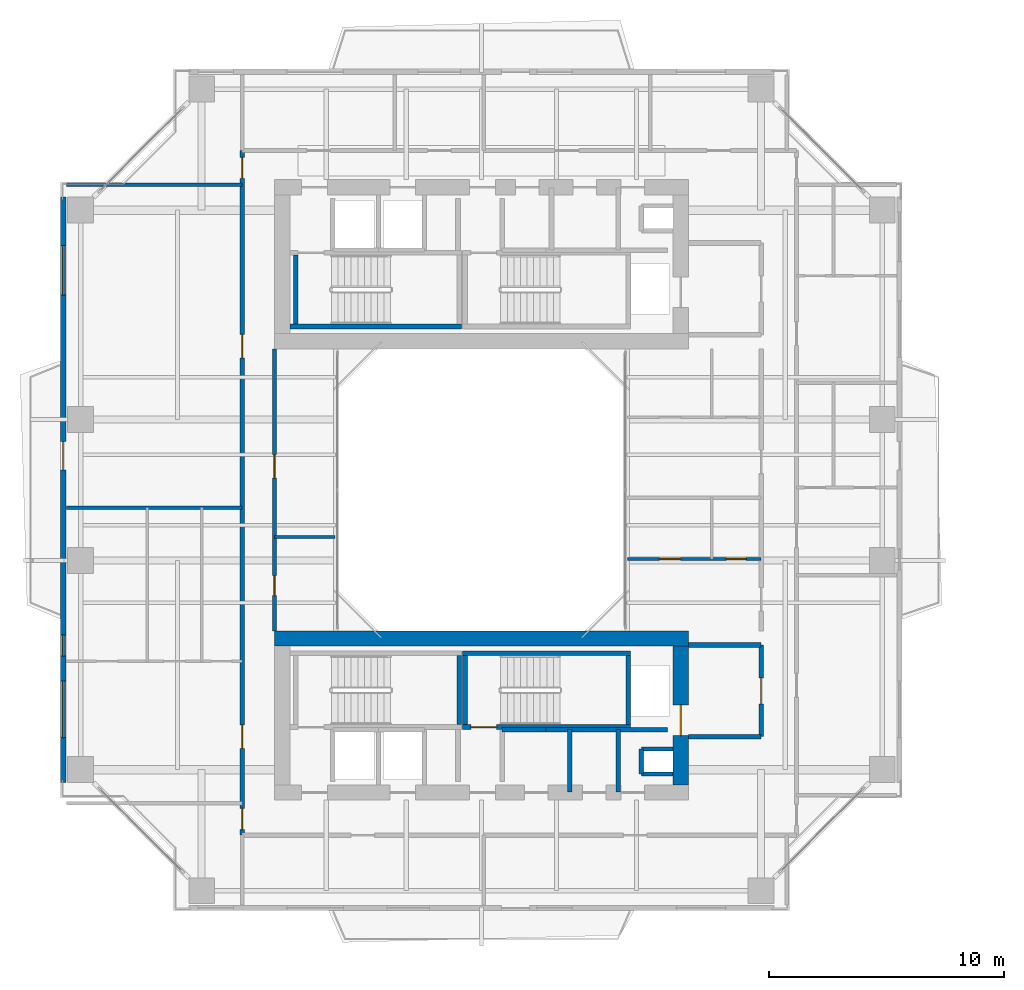
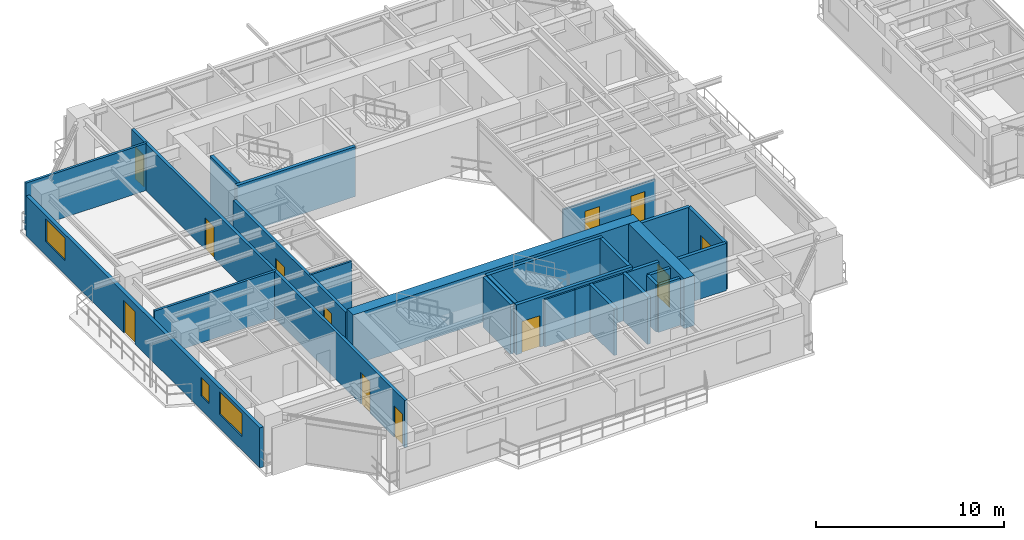
# One storey, part 14 of 23: 26 walls, 12 doors, 3 windows, 15 openings.
"""IFC4 building model written with IfcOpenShell, lengths in metres."""

from ifc_helpers import new_model, si_unit, direction, frame, frame_2d, origin, place, context, subcontext, project, spatial, rectangle, extrude, source, transform, mapped, material, layer, layer_set, type_object, element, fill, save


model = new_model("IFC4")

# Units and contexts
model_context = context("Model", 3, precision=1e-05, world=origin(), true_north=direction((0.0, 1.0)))
body_context = subcontext(model_context, "Body", "Model", "MODEL_VIEW")
ifc_project = project(units=[si_unit("LENGTHUNIT", "METRE"), si_unit("AREAUNIT", "SQUARE_METRE"), si_unit("VOLUMEUNIT", "CUBIC_METRE"), si_unit("PLANEANGLEUNIT", "RADIAN"), si_unit("MASSUNIT", "GRAM", prefix="KILO"), si_unit("THERMODYNAMICTEMPERATUREUNIT", "KELVIN"), si_unit("POWERUNIT", "WATT")], contexts=[model_context])

# Site, building, storey
site_placement = place(None, origin())
site = spatial("IfcSite", under=ifc_project, at=site_placement, CompositionType="ELEMENT")
building_placement = place(site_placement, origin())
building = spatial("IfcBuilding", under=site, at=building_placement, Name="Qiaomeng Ring Towers", CompositionType="ELEMENT")
storey_placement = place(building_placement, frame((0.0, 0.0, 100.25)))
storey = spatial("IfcBuildingStorey", under=building, at=storey_placement, Name="L28", CompositionType="ELEMENT", Elevation=100.25)

# Wall, openings, windows, door
ifc_material_1 = material(Name="Precast concrete C40", Category="concrete")
ifc_layer_1 = layer(ifc_material_1, 0.219970703125, Name="Precast concrete C40")
ifc_layer_set_1 = layer_set([ifc_layer_1], Name="Precast concrete C40")
wall_type_1 = type_object("IfcWallType", Name="ARC-WL-EW2", PredefinedType="STANDARD", material=ifc_layer_set_1)
wall_1_placement = place(storey_placement, frame((1.2099609375, 10.550048828125, 0.0), z_axis=(0.0, 0.0, 1.0), x_axis=(0.0, 1.0, 0.0)))
wall_1 = element("IfcWall", 1, at=wall_1_placement, inside=storey, type_object=wall_type_1, Name="L28 Tower 1 W Exterior Wall", PredefinedType="STANDARD", context=body_context, shape_type="SweptSolid", body=[
    extrude(rectangle(XDim=24.89990234375, YDim=0.219970703125, at=frame_2d((12.449951171875, 0.0))), origin(), (0.0, 0.0, 1.0), 2.610107421875),
])
opening_1_placement = place(wall_1_placement, frame((13.300048828125, 0.0, 0.0)))
opening_1 = element("IfcOpeningElement", 2, at=opening_1_placement, cuts=wall_1, Name="Opening BD1", PredefinedType="OPENING", context=body_context, shape_type="SweptSolid", body=[
    extrude(rectangle(XDim=1.199951171875, YDim=2.10009765625, at=frame_2d((0.60009765625, 1.050048828125))), frame((0.0, 0.119873046875, 0.0), z_axis=(0.0, -1.0, 0.0), x_axis=(1.0, 0.0, 0.0)), (0.0, 0.0, 1.0), 0.239990234375),
])
opening_2_placement = place(wall_1_placement, frame((1.912109375, 0.0, 0.89990234375)))
opening_2 = element("IfcOpeningElement", 3, at=opening_2_placement, cuts=wall_1, Name="Opening WN6", PredefinedType="OPENING", context=body_context, shape_type="SweptSolid", body=[
    extrude(rectangle(XDim=2.39990234375, YDim=1.47998046875, at=frame_2d((1.199951171875, 0.739990234375))), frame((0.0, 0.119873046875, 0.0), z_axis=(0.0, -1.0, 0.0), x_axis=(1.0, 0.0, 0.0)), (0.0, 0.0, 1.0), 0.239990234375),
])
opening_3_placement = place(wall_1_placement, frame((20.737060546875, 0.0, 0.89990234375)))
opening_3 = element("IfcOpeningElement", 4, at=opening_3_placement, cuts=wall_1, Name="Opening WN4", PredefinedType="OPENING", context=body_context, shape_type="SweptSolid", body=[
    extrude(rectangle(XDim=2.10009765625, YDim=1.47998046875, at=frame_2d((1.050048828125, 0.739990234375))), frame((0.0, 0.119873046875, 0.0), z_axis=(0.0, -1.0, 0.0), x_axis=(1.0, 0.0, 0.0)), (0.0, 0.0, 1.0), 0.239990234375),
])
opening_4_placement = place(wall_1_placement, frame((5.3798828125, 0.0, 0.89990234375)))
opening_4 = element("IfcOpeningElement", 5, at=opening_4_placement, cuts=wall_1, Name="Opening WN5", PredefinedType="OPENING", context=body_context, shape_type="SweptSolid", body=[
    extrude(rectangle(XDim=0.89990234375, YDim=1.199951171875, at=frame_2d((0.449951171875, 0.60009765625))), frame((0.0, 0.119873046875, 0.0), z_axis=(0.0, -1.0, 0.0), x_axis=(1.0, 0.0, 0.0)), (0.0, 0.0, 1.0), 0.239990234375),
])
ifc_material_2 = material(Name="Low-E dark-grey laminated double glazing", Category="glass")
window_type_1 = type_object("IfcWindowType", Name="ARC-WN-4", PartitioningType="TRIPLE_PANEL_VERTICAL", PredefinedType="WINDOW", material=ifc_material_2)
shared_shape_1 = source(origin(), body_context, "Body", "SweptSolid", [
    extrude(rectangle(XDim=2.10009765625, YDim=1.47998046875, at=frame_2d((1.050048828125, 0.739990234375))), frame((0.0, 0.030029296875, 0.0), z_axis=(0.0, -1.0, 0.0), x_axis=(1.0, 0.0, 0.0)), (0.0, 0.0, 1.0), 0.06005859375),
])
window_1_placement = place(opening_3_placement, origin())
window_1 = element("IfcWindow", 6, at=window_1_placement, inside=storey, type_object=window_type_1, Name="L28 Exterior Window WN4", OverallHeight=1.47998046875, OverallWidth=2.10009765625, PartitioningType="TRIPLE_PANEL_VERTICAL", PredefinedType="WINDOW", context=body_context, shape_type="MappedRepresentation", body=[
    mapped(shared_shape_1, transform((0.0, 0.0, 0.0), x_axis=(1.0, 0.0, 0.0), y_axis=(0.0, 1.0, 0.0), z_axis=(0.0, 0.0, 1.0), scale=1.0)),
])
fill(opening_3, window_1)
window_type_2 = type_object("IfcWindowType", Name="ARC-WN-6", PartitioningType="TRIPLE_PANEL_VERTICAL", PredefinedType="WINDOW", material=ifc_material_2)
shared_shape_2 = source(origin(), body_context, "Body", "SweptSolid", [
    extrude(rectangle(XDim=2.39990234375, YDim=1.47998046875, at=frame_2d((1.199951171875, 0.739990234375))), frame((0.0, 0.030029296875, 0.0), z_axis=(0.0, -1.0, 0.0), x_axis=(1.0, 0.0, 0.0)), (0.0, 0.0, 1.0), 0.06005859375),
])
window_2_placement = place(opening_2_placement, origin())
window_2 = element("IfcWindow", 7, at=window_2_placement, inside=storey, type_object=window_type_2, Name="L28 Exterior Window WN6", OverallHeight=1.47998046875, OverallWidth=2.39990234375, PartitioningType="TRIPLE_PANEL_VERTICAL", PredefinedType="WINDOW", context=body_context, shape_type="MappedRepresentation", body=[
    mapped(shared_shape_2, transform((0.0, 0.0, 0.0), x_axis=(1.0, 0.0, 0.0), y_axis=(0.0, 1.0, 0.0), z_axis=(0.0, 0.0, 1.0), scale=1.0)),
])
fill(opening_2, window_2)
door_type_1 = type_object("IfcDoorType", Name="ARC-DR-BD1", OperationType="NOTDEFINED", PredefinedType="DOOR", material=ifc_material_2)
shared_shape_3 = source(origin(), body_context, "Body", "SweptSolid", [
    extrude(rectangle(XDim=1.199951171875, YDim=2.10009765625, at=frame_2d((0.60009765625, 1.050048828125))), frame((0.0, 0.02490234375, 0.0), z_axis=(0.0, -1.0, 0.0), x_axis=(1.0, 0.0, 0.0)), (0.0, 0.0, 1.0), 0.050048828125),
])
door_1_placement = place(opening_1_placement, frame((1.199951171875, 0.0, 0.0), z_axis=(0.0, 0.0, 1.0), x_axis=(-1.0, 0.0, 0.0)))
door_1 = element("IfcDoor", 8, at=door_1_placement, inside=storey, type_object=door_type_1, Name="L28 W Balcony Glazed Door", OperationType="SINGLE_SWING_LEFT", OverallHeight=2.10009765625, OverallWidth=1.199951171875, PredefinedType="DOOR", context=body_context, shape_type="MappedRepresentation", body=[
    mapped(shared_shape_3, transform((0.0, 0.0, 0.0), x_axis=(1.0, 0.0, 0.0), y_axis=(0.0, 1.0, 0.0), z_axis=(0.0, 0.0, 1.0), scale=1.0)),
])
fill(opening_1, door_1)
window_type_3 = type_object("IfcWindowType", Name="ARC-WN-5", PartitioningType="SINGLE_PANEL", PredefinedType="WINDOW", material=ifc_material_2)
shared_shape_4 = source(origin(), body_context, "Body", "SweptSolid", [
    extrude(rectangle(XDim=0.89990234375, YDim=1.199951171875, at=frame_2d((0.449951171875, 0.60009765625))), frame((0.0, 0.030029296875, 0.0), z_axis=(0.0, -1.0, 0.0), x_axis=(1.0, 0.0, 0.0)), (0.0, 0.0, 1.0), 0.06005859375),
])
window_3_placement = place(opening_4_placement, origin())
window_3 = element("IfcWindow", 9, at=window_3_placement, inside=storey, type_object=window_type_3, Name="L28 Exterior Window WN5", OverallHeight=1.199951171875, OverallWidth=0.89990234375, PartitioningType="SINGLE_PANEL", PredefinedType="WINDOW", context=body_context, shape_type="MappedRepresentation", body=[
    mapped(shared_shape_4, transform((0.0, 0.0, 0.0), x_axis=(1.0, 0.0, 0.0), y_axis=(0.0, 1.0, 0.0), z_axis=(0.0, 0.0, 1.0), scale=1.0)),
])
fill(opening_4, window_3)

# Walls
ifc_material_3 = material(Name="Autoclaved aerated concrete block", Category="concrete")
ifc_layer_2 = layer(ifc_material_3, 0.199951171875, Name="Autoclaved aerated concrete block")
ifc_layer_set_2 = layer_set([ifc_layer_2], Name="Autoclaved aerated concrete block")
wall_type_2 = type_object("IfcWallType", Name="ARC-WL-PW1", PredefinedType="PARTITIONING", material=ifc_layer_set_2)
for number, where, z_axis, x_axis, name in (
    (10, (27.800048828125, 16.39990234375, 0.0), (0.0, 0.0, 1.0), (1.0, 0.0, 0.0), "L28 Interior Wall PW1"),
    (11, (27.800048828125, 12.5, 0.0), (0.0, 0.0, 1.0), (1.0, 0.0, 0.0), "L28 Interior Wall PW1"),
):
    element("IfcWall", number, at=place(storey_placement, frame(where, z_axis=z_axis, x_axis=x_axis)), inside=storey, type_object=wall_type_2, Name=name, PredefinedType="PARTITIONING", context=body_context, shape_type="SweptSolid", body=[
        extrude(rectangle(XDim=3.099853515625, YDim=0.199951171875, at=frame_2d((1.5498046875, 0.0))), origin(), (0.0, 0.0, 1.0), 3.070068359375),
    ])

# Wall, opening, door
wall_2_placement = place(storey_placement, frame((30.89990234375, 12.5, 0.0), z_axis=(0.0, 0.0, 1.0), x_axis=(0.0, 1.0, 0.0)))
wall_2 = element("IfcWall", 12, at=wall_2_placement, inside=storey, type_object=wall_type_2, Name="L28 Interior Wall PW1", PredefinedType="PARTITIONING", context=body_context, shape_type="SweptSolid", body=[
    extrude(rectangle(XDim=3.89990234375, YDim=0.199951171875, at=frame_2d((1.949951171875, 0.0))), origin(), (0.0, 0.0, 1.0), 3.070068359375),
])
opening_5_placement = place(wall_2_placement, frame((1.39990234375, 0.0, 0.0)))
opening_5 = element("IfcOpeningElement", 13, at=opening_5_placement, cuts=wall_2, Name="Opening FD3", PredefinedType="OPENING", context=body_context, shape_type="SweptSolid", body=[
    extrude(rectangle(XDim=1.10009765625, YDim=2.050048828125, at=frame_2d((0.550048828125, 1.02490234375))), frame((0.0, 0.10986328125, 0.0), z_axis=(0.0, -1.0, 0.0), x_axis=(1.0, 0.0, 0.0)), (0.0, 0.0, 1.0), 0.219970703125),
])
ifc_material_4 = material(Name="Galvanised steel", Category="steel")
door_type_2 = type_object("IfcDoorType", Name="ARC-DR-FD3", OperationType="NOTDEFINED", PredefinedType="DOOR", material=ifc_material_4)
shared_shape_5 = source(origin(), body_context, "Body", "SweptSolid", [
    extrude(rectangle(XDim=1.10009765625, YDim=2.050048828125, at=frame_2d((0.550048828125, 1.02490234375))), frame((0.0, 0.02490234375, 0.0), z_axis=(0.0, -1.0, 0.0), x_axis=(1.0, 0.0, 0.0)), (0.0, 0.0, 1.0), 0.050048828125),
])
door_2_placement = place(opening_5_placement, origin())
door_2 = element("IfcDoor", 14, at=door_2_placement, inside=storey, type_object=door_type_2, Name="L28 South FF Lobby Door", OperationType="SINGLE_SWING_RIGHT", OverallHeight=2.050048828125, OverallWidth=1.10009765625, PredefinedType="DOOR", context=body_context, shape_type="MappedRepresentation", body=[
    mapped(shared_shape_5, transform((0.0, 0.0, 0.0), x_axis=(1.0, 0.0, 0.0), y_axis=(0.0, 1.0, 0.0), z_axis=(0.0, 0.0, 1.0), scale=1.0)),
])
fill(opening_5, door_2)

# Walls
wall_3_placement = place(storey_placement, frame((24.820068359375, 10.14990234375, 0.0), z_axis=(0.0, 0.0, 1.0), x_axis=(0.0, 1.0, 0.0)))
element("IfcWall", 15, at=wall_3_placement, inside=storey, type_object=wall_type_2, Name="L28 Interior Wall PW1", PredefinedType="PARTITIONING", context=body_context, shape_type="SweptSolid", body=[
    extrude(rectangle(XDim=2.650146484375, YDim=0.199951171875, at=frame_2d((1.3251953125, 0.0))), origin(), (0.0, 0.0, 1.0), 3.070068359375),
])
wall_4_placement = place(storey_placement, frame((19.8798828125, 12.800048828125, 0.0), z_axis=(0.0, 0.0, 1.0), x_axis=(1.0, 0.0, 0.0)))
element("IfcWall", 16, at=wall_4_placement, inside=storey, type_object=wall_type_2, Name="L28 Interior Wall PW1", PredefinedType="PARTITIONING", context=body_context, shape_type="SweptSolid", body=[
    extrude(rectangle(XDim=1.8701171875, YDim=0.199951171875, at=frame_2d((0.93505859375, 0.0))), origin(), (0.0, 0.0, 1.0), 3.070068359375),
])
wall_5_placement = place(storey_placement, frame((22.760009765625, 10.14990234375, 0.0), z_axis=(0.0, 0.0, 1.0), x_axis=(0.0, 1.0, 0.0)))
element("IfcWall", 17, at=wall_5_placement, inside=storey, type_object=wall_type_2, Name="L28 Interior Wall PW1", PredefinedType="PARTITIONING", context=body_context, shape_type="SweptSolid", body=[
    extrude(rectangle(XDim=2.650146484375, YDim=0.199951171875, at=frame_2d((1.3251953125, 0.0))), origin(), (0.0, 0.0, 1.0), 3.070068359375),
])
wall_6_placement = place(storey_placement, frame((21.75, 12.800048828125, 0.0), z_axis=(0.0, 0.0, 1.0), x_axis=(1.0, 0.0, 0.0)))
element("IfcWall", 18, at=wall_6_placement, inside=storey, type_object=wall_type_2, Name="L28 Interior Wall PW1", PredefinedType="PARTITIONING", context=body_context, shape_type="SweptSolid", body=[
    extrude(rectangle(XDim=5.169921875, YDim=0.199951171875, at=frame_2d((2.5849609375, 0.0))), origin(), (0.0, 0.0, 1.0), 3.070068359375),
])

# Wall, openings, doors
ifc_layer_3 = layer(ifc_material_3, 0.179931640625, Name="Autoclaved aerated concrete block")
ifc_layer_set_3 = layer_set([ifc_layer_3], Name="Autoclaved aerated concrete block")
wall_type_3 = type_object("IfcWallType", Name="ARC-WL-PW2", PredefinedType="PARTITIONING", material=ifc_layer_set_3)
wall_7_placement = place(storey_placement, frame((8.820068359375, 8.31005859375, 0.0), z_axis=(0.0, 0.0, 1.0), x_axis=(0.0, 1.0, 0.0)))
wall_7 = element("IfcWall", 19, at=wall_7_placement, inside=storey, type_object=wall_type_3, Name="L28 Interior Wall PW2", PredefinedType="PARTITIONING", context=body_context, shape_type="SweptSolid", body=[
    extrude(rectangle(XDim=29.1298828125, YDim=0.179931640625, at=frame_2d((14.56494140625, 0.0))), origin(), (0.0, 0.0, 1.0), 3.070068359375),
])
opening_6_placement = place(wall_7_placement, frame((27.93994140625, 0.0, 0.0)))
opening_6 = element("IfcOpeningElement", 20, at=opening_6_placement, cuts=wall_7, Name="Opening ID1", PredefinedType="OPENING", context=body_context, shape_type="SweptSolid", body=[
    extrude(rectangle(XDim=0.89990234375, YDim=2.050048828125, at=frame_2d((0.449951171875, 1.02490234375))), frame((0.0, 0.099853515625, 0.0), z_axis=(0.0, -1.0, 0.0), x_axis=(1.0, 0.0, 0.0)), (0.0, 0.0, 1.0), 0.199951171875),
])
opening_7_placement = place(wall_7_placement, frame((0.239990234375, 0.0, 0.0)))
opening_7 = element("IfcOpeningElement", 21, at=opening_7_placement, cuts=wall_7, Name="Opening ID1", PredefinedType="OPENING", context=body_context, shape_type="SweptSolid", body=[
    extrude(rectangle(XDim=0.89990234375, YDim=2.050048828125, at=frame_2d((0.449951171875, 1.02490234375))), frame((0.0, 0.099853515625, 0.0), z_axis=(0.0, -1.0, 0.0), x_axis=(1.0, 0.0, 0.0)), (0.0, 0.0, 1.0), 0.199951171875),
])
opening_8_placement = place(wall_7_placement, frame((3.68994140625, 0.0, 0.0)))
opening_8 = element("IfcOpeningElement", 22, at=opening_8_placement, cuts=wall_7, Name="Opening FD4", PredefinedType="OPENING", context=body_context, shape_type="SweptSolid", body=[
    extrude(rectangle(XDim=1.0, YDim=2.050048828125, at=frame_2d((0.5, 1.02490234375))), frame((0.0, 0.099853515625, 0.0), z_axis=(0.0, -1.0, 0.0), x_axis=(1.0, 0.0, 0.0)), (0.0, 0.0, 1.0), 0.199951171875),
])
opening_9_placement = place(wall_7_placement, frame((20.304931640625, 0.0, 0.0)))
opening_9 = element("IfcOpeningElement", 23, at=opening_9_placement, cuts=wall_7, Name="Opening FD4", PredefinedType="OPENING", context=body_context, shape_type="SweptSolid", body=[
    extrude(rectangle(XDim=1.0, YDim=2.050048828125, at=frame_2d((0.5, 1.02490234375))), frame((0.0, 0.099853515625, 0.0), z_axis=(0.0, -1.0, 0.0), x_axis=(1.0, 0.0, 0.0)), (0.0, 0.0, 1.0), 0.199951171875),
])
ifc_material_5 = material(Name="Engineered fire-rated oak timber", Category="wood")
door_type_3 = type_object("IfcDoorType", Name="ARC-DR-FD4", OperationType="NOTDEFINED", PredefinedType="DOOR", material=ifc_material_5)
shared_shape_6 = source(origin(), body_context, "Body", "SweptSolid", [
    extrude(rectangle(XDim=1.0, YDim=2.050048828125, at=frame_2d((0.5, 1.02490234375))), frame((0.0, 0.02490234375, 0.0), z_axis=(0.0, -1.0, 0.0), x_axis=(1.0, 0.0, 0.0)), (0.0, 0.0, 1.0), 0.050048828125),
])
door_3_placement = place(opening_8_placement, origin())
door_3 = element("IfcDoor", 24, at=door_3_placement, inside=storey, type_object=door_type_3, Name="L28 Door FD4", OperationType="SINGLE_SWING_RIGHT", OverallHeight=2.050048828125, OverallWidth=1.0, PredefinedType="DOOR", context=body_context, shape_type="MappedRepresentation", body=[
    mapped(shared_shape_6, transform((0.0, 0.0, 0.0), x_axis=(1.0, 0.0, 0.0), y_axis=(0.0, 1.0, 0.0), z_axis=(0.0, 0.0, 1.0), scale=1.0)),
])
fill(opening_8, door_3)
door_4_placement = place(opening_9_placement, origin())
door_4 = element("IfcDoor", 25, at=door_4_placement, inside=storey, type_object=door_type_3, Name="L28 Door FD4", OperationType="SINGLE_SWING_LEFT", OverallHeight=2.050048828125, OverallWidth=1.0, PredefinedType="DOOR", context=body_context, shape_type="MappedRepresentation", body=[
    mapped(shared_shape_6, transform((0.0, 0.0, 0.0), x_axis=(1.0, 0.0, 0.0), y_axis=(0.0, 1.0, 0.0), z_axis=(0.0, 0.0, 1.0), scale=1.0)),
])
fill(opening_9, door_4)
ifc_material_6 = material(Name="Engineered oak timber", Category="wood")
door_type_4 = type_object("IfcDoorType", Name="ARC-DR-ID1", OperationType="NOTDEFINED", PredefinedType="DOOR", material=ifc_material_6)
shared_shape_7 = source(origin(), body_context, "Body", "SweptSolid", [
    extrude(rectangle(XDim=0.89990234375, YDim=2.050048828125, at=frame_2d((0.449951171875, 1.02490234375))), frame((0.0, 0.02490234375, 0.0), z_axis=(0.0, -1.0, 0.0), x_axis=(1.0, 0.0, 0.0)), (0.0, 0.0, 1.0), 0.050048828125),
])
door_5_placement = place(opening_6_placement, origin())
door_5 = element("IfcDoor", 26, at=door_5_placement, inside=storey, type_object=door_type_4, Name="L28 Door ID1", OperationType="SINGLE_SWING_LEFT", OverallHeight=2.050048828125, OverallWidth=0.89990234375, PredefinedType="DOOR", context=body_context, shape_type="MappedRepresentation", body=[
    mapped(shared_shape_7, transform((0.0, 0.0, 0.0), x_axis=(1.0, 0.0, 0.0), y_axis=(0.0, 1.0, 0.0), z_axis=(0.0, 0.0, 1.0), scale=1.0)),
])
fill(opening_6, door_5)
door_6_placement = place(opening_7_placement, origin())
door_6 = element("IfcDoor", 27, at=door_6_placement, inside=storey, type_object=door_type_4, Name="L28 Door ID1", OperationType="SINGLE_SWING_RIGHT", OverallHeight=2.050048828125, OverallWidth=0.89990234375, PredefinedType="DOOR", context=body_context, shape_type="MappedRepresentation", body=[
    mapped(shared_shape_7, transform((0.0, 0.0, 0.0), x_axis=(1.0, 0.0, 0.0), y_axis=(0.0, 1.0, 0.0), z_axis=(0.0, 0.0, 1.0), scale=1.0)),
])
fill(opening_7, door_6)

wall_8_placement = place(storey_placement, frame((10.199951171875, 17.0, 0.0), z_axis=(0.0, 0.0, 1.0), x_axis=(0.0, 1.0, 0.0)))
wall_8 = element("IfcWall", 28, at=wall_8_placement, inside=storey, type_object=wall_type_3, Name="L28 Interior Wall PW2", PredefinedType="PARTITIONING", context=body_context, shape_type="SweptSolid", body=[
    extrude(rectangle(XDim=12.0, YDim=0.179931640625, at=frame_2d((6.0, 0.0))), origin(), (0.0, 0.0, 1.0), 3.070068359375),
])
opening_10_placement = place(wall_8_placement, frame((1.5, 0.0, 0.0)))
opening_10 = element("IfcOpeningElement", 29, at=opening_10_placement, cuts=wall_8, Name="Opening ID2", PredefinedType="OPENING", context=body_context, shape_type="SweptSolid", body=[
    extrude(rectangle(XDim=0.85009765625, YDim=2.050048828125, at=frame_2d((0.425048828125, 1.02490234375))), frame((0.0, 0.099853515625, 0.0), z_axis=(0.0, -1.0, 0.0), x_axis=(1.0, 0.0, 0.0)), (0.0, 0.0, 1.0), 0.199951171875),
])
opening_11_placement = place(wall_8_placement, frame((6.5, 0.0, 0.0)))
opening_11 = element("IfcOpeningElement", 30, at=opening_11_placement, cuts=wall_8, Name="Opening FD4", PredefinedType="OPENING", context=body_context, shape_type="SweptSolid", body=[
    extrude(rectangle(XDim=1.0, YDim=2.050048828125, at=frame_2d((0.5, 1.02490234375))), frame((0.0, 0.099853515625, 0.0), z_axis=(0.0, -1.0, 0.0), x_axis=(1.0, 0.0, 0.0)), (0.0, 0.0, 1.0), 0.199951171875),
])
door_7_placement = place(opening_11_placement, origin())
door_7 = element("IfcDoor", 31, at=door_7_placement, inside=storey, type_object=door_type_3, Name="L28 Door FD4", OperationType="SINGLE_SWING_LEFT", OverallHeight=2.050048828125, OverallWidth=1.0, PredefinedType="DOOR", context=body_context, shape_type="MappedRepresentation", body=[
    mapped(shared_shape_6, transform((0.0, 0.0, 0.0), x_axis=(1.0, 0.0, 0.0), y_axis=(0.0, 1.0, 0.0), z_axis=(0.0, 0.0, 1.0), scale=1.0)),
])
fill(opening_11, door_7)
ifc_material_7 = material(Name="Moisture-resistant engineered timber", Category="wood")
door_type_5 = type_object("IfcDoorType", Name="ARC-DR-ID2", OperationType="NOTDEFINED", PredefinedType="DOOR", material=ifc_material_7)
shared_shape_8 = source(origin(), body_context, "Body", "SweptSolid", [
    extrude(rectangle(XDim=0.85009765625, YDim=2.050048828125, at=frame_2d((0.425048828125, 1.02490234375))), frame((0.0, 0.02490234375, 0.0), z_axis=(0.0, -1.0, 0.0), x_axis=(1.0, 0.0, 0.0)), (0.0, 0.0, 1.0), 0.050048828125),
])
door_8_placement = place(opening_10_placement, origin())
door_8 = element("IfcDoor", 32, at=door_8_placement, inside=storey, type_object=door_type_5, Name="L28 Door ID2", OperationType="SINGLE_SWING_RIGHT", OverallHeight=2.050048828125, OverallWidth=0.85009765625, PredefinedType="DOOR", context=body_context, shape_type="MappedRepresentation", body=[
    mapped(shared_shape_8, transform((0.0, 0.0, 0.0), x_axis=(1.0, 0.0, 0.0), y_axis=(0.0, 1.0, 0.0), z_axis=(0.0, 0.0, 1.0), scale=1.0)),
])
fill(opening_10, door_8)

# Walls
ifc_material_8 = material(Name="Gypsum fireboard steel-stud partition", Category="steel")
ifc_layer_4 = layer(ifc_material_8, 0.14990234375, Name="Gypsum fireboard steel-stud partition")
ifc_layer_set_4 = layer_set([ifc_layer_4], Name="Gypsum fireboard steel-stud partition")
wall_type_4 = type_object("IfcWallType", Name="ARC-WL-PW3", PredefinedType="PARTITIONING", material=ifc_layer_set_4)
for number, where, z_axis, x_axis, name in (
    (33, (1.35009765625, 35.97998046875, 0.0), (0.0, 0.0, 1.0), (1.0, 0.0, 0.0), "L28 Interior Wall PW3"),
    (34, (1.35009765625, 22.25, 0.0), (0.0, 0.0, 1.0), (1.0, 0.0, 0.0), "L28 Interior Wall PW3"),
):
    element("IfcWall", number, at=place(storey_placement, frame(where, z_axis=z_axis, x_axis=x_axis)), inside=storey, type_object=wall_type_4, Name=name, PredefinedType="PARTITIONING", context=body_context, shape_type="SweptSolid", body=[
        extrude(rectangle(XDim=7.469970703125, YDim=0.14990234375, at=frame_2d((3.73486328125, 0.0))), origin(), (0.0, 0.0, 1.0), 3.070068359375),
    ])
ifc_material_9 = material(Name="Moisture-resistant gypsum steel-stud partition", Category="steel")
ifc_layer_5 = layer(ifc_material_9, 0.1201171875, Name="Moisture-resistant gypsum steel-stud partition")
ifc_layer_set_5 = layer_set([ifc_layer_5], Name="Moisture-resistant gypsum steel-stud partition")
wall_type_5 = type_object("IfcWallType", Name="ARC-WL-PW4", PredefinedType="PLUMBINGWALL", material=ifc_layer_set_5)
wall_9_placement = place(storey_placement, frame((10.199951171875, 21.0, 0.0), z_axis=(0.0, 0.0, 1.0), x_axis=(1.0, 0.0, 0.0)))
element("IfcWall", 35, at=wall_9_placement, inside=storey, type_object=wall_type_5, Name="L28 Interior Wall PW4", PredefinedType="PLUMBINGWALL", context=body_context, shape_type="SweptSolid", body=[
    extrude(rectangle(XDim=2.580078125, YDim=0.1201171875, at=frame_2d((1.2900390625, 0.0))), origin(), (0.0, 0.0, 1.0), 3.070068359375),
])

# Wall, openings, doors
wall_10_placement = place(storey_placement, frame((25.219970703125, 20.06005859375, 0.0), z_axis=(0.0, 0.0, 1.0), x_axis=(1.0, 0.0, 0.0)))
wall_10 = element("IfcWall", 36, at=wall_10_placement, inside=storey, type_object=wall_type_5, Name="L28 Interior Wall PW4", PredefinedType="PLUMBINGWALL", context=body_context, shape_type="SweptSolid", body=[
    extrude(rectangle(XDim=5.679931640625, YDim=0.1201171875, at=frame_2d((2.83984375, 0.0))), origin(), (0.0, 0.0, 1.0), 2.625),
])
opening_12_placement = place(wall_10_placement, frame((1.35009765625, 0.0, 0.0)))
opening_12 = element("IfcOpeningElement", 37, at=opening_12_placement, cuts=wall_10, Name="Opening ID1", PredefinedType="OPENING", context=body_context, shape_type="SweptSolid", body=[
    extrude(rectangle(XDim=0.89990234375, YDim=2.050048828125, at=frame_2d((0.449951171875, 1.02490234375))), frame((0.0, 0.070068359375, 0.0), z_axis=(0.0, -1.0, 0.0), x_axis=(1.0, 0.0, 0.0)), (0.0, 0.0, 1.0), 0.14013671875),
])
opening_13_placement = place(wall_10_placement, frame((4.195068359375, 0.0, 0.0)))
opening_13 = element("IfcOpeningElement", 38, at=opening_13_placement, cuts=wall_10, Name="Opening ID2", PredefinedType="OPENING", context=body_context, shape_type="SweptSolid", body=[
    extrude(rectangle(XDim=0.85009765625, YDim=2.050048828125, at=frame_2d((0.425048828125, 1.02490234375))), frame((0.0, 0.070068359375, 0.0), z_axis=(0.0, -1.0, 0.0), x_axis=(1.0, 0.0, 0.0)), (0.0, 0.0, 1.0), 0.14013671875),
])
door_9_placement = place(opening_13_placement, origin())
door_9 = element("IfcDoor", 39, at=door_9_placement, inside=storey, type_object=door_type_5, Name="L28 Door ID2", OperationType="SINGLE_SWING_RIGHT", OverallHeight=2.050048828125, OverallWidth=0.85009765625, PredefinedType="DOOR", context=body_context, shape_type="MappedRepresentation", body=[
    mapped(shared_shape_8, transform((0.0, 0.0, 0.0), x_axis=(1.0, 0.0, 0.0), y_axis=(0.0, 1.0, 0.0), z_axis=(0.0, 0.0, 1.0), scale=1.0)),
])
fill(opening_13, door_9)
door_10_placement = place(opening_12_placement, origin())
door_10 = element("IfcDoor", 40, at=door_10_placement, inside=storey, type_object=door_type_4, Name="L28 Door ID1", OperationType="SINGLE_SWING_LEFT", OverallHeight=2.050048828125, OverallWidth=0.89990234375, PredefinedType="DOOR", context=body_context, shape_type="MappedRepresentation", body=[
    mapped(shared_shape_7, transform((0.0, 0.0, 0.0), x_axis=(1.0, 0.0, 0.0), y_axis=(0.0, 1.0, 0.0), z_axis=(0.0, 0.0, 1.0), scale=1.0)),
])
fill(opening_12, door_10)

# Walls
ifc_material_10 = material(Name="Concrete C40", Category="concrete")
ifc_layer_6 = layer(ifc_material_10, 0.199951171875, Name="Concrete C40")
ifc_layer_set_6 = layer_set([ifc_layer_6], Name="Concrete C40")
wall_type_6 = type_object("IfcWallType", Name="STR-WL-STSHAFT", PredefinedType="SHEAR", material=ifc_layer_set_6)
wall_11_placement = place(storey_placement, frame((25.800048828125, 10.919921875, 0.0), z_axis=(0.0, 0.0, 1.0), x_axis=(0.0, 1.0, 0.0)))
element("IfcWall", 41, at=wall_11_placement, inside=storey, type_object=wall_type_6, Name="L28 Riser RSR1 West Shaft Wall S", PredefinedType="SHEAR", context=body_context, shape_type="SweptSolid", body=[
    extrude(rectangle(XDim=1.06005859375, YDim=0.179931640625, at=frame_2d((0.530029296875, 0.0))), origin(), (0.0, 0.0, 1.0), 3.070068359375),
])
for number, where, z_axis, x_axis, name in (
    (42, (25.800048828125, 11.97998046875, 0.0), (0.0, 0.0, 1.0), (1.0, 0.0, 0.0), "L28 Riser RSR1 North Shaft Wall S"),
    (43, (25.800048828125, 10.919921875, 0.0), (0.0, 0.0, 1.0), (1.0, 0.0, 0.0), "L28 Riser RSR1 South Shaft Wall S"),
):
    element("IfcWall", number, at=place(storey_placement, frame(where, z_axis=z_axis, x_axis=x_axis)), inside=storey, type_object=wall_type_6, Name=name, PredefinedType="SHEAR", context=body_context, shape_type="SweptSolid", body=[
        extrude(rectangle(XDim=1.349853515625, YDim=0.179931640625, at=frame_2d((0.6748046875, 0.0))), origin(), (0.0, 0.0, 1.0), 3.070068359375),
    ])
wall_12_placement = place(storey_placement, frame((10.85009765625, 29.949951171875, 0.0), z_axis=(0.0, 0.0, 1.0), x_axis=(1.0, 0.0, 0.0)))
element("IfcWall", 44, at=wall_12_placement, inside=storey, type_object=wall_type_6, Name="L28 Stair ST1 South Shaft Shear Wall", PredefinedType="SHEAR", context=body_context, shape_type="SweptSolid", body=[
    extrude(rectangle(XDim=7.2998046875, YDim=0.199951171875, at=frame_2d((3.64990234375, 0.0))), origin(), (0.0, 0.0, 1.0), 3.25),
])
for number, where, z_axis, x_axis, name in (
    (45, (11.10009765625, 30.050048828125, 0.0), (0.0, 0.0, 1.0), (0.0, 1.0, 0.0), "L28 Stair ST1 West Shaft Shear Wall"),
    (46, (18.050048828125, 13.010009765625, 0.0), (0.0, 0.0, 1.0), (0.0, 1.0, 0.0), "L28 Stair ST3 East Shaft Shear Wall"),
):
    element("IfcWall", number, at=place(storey_placement, frame(where, z_axis=z_axis, x_axis=x_axis)), inside=storey, type_object=wall_type_6, Name=name, PredefinedType="SHEAR", context=body_context, shape_type="SweptSolid", body=[
        extrude(rectangle(XDim=2.93994140625, YDim=0.199951171875, at=frame_2d((1.469970703125, 0.0))), origin(), (0.0, 0.0, 1.0), 3.25),
    ])

# Wall, opening, door
wall_13_placement = place(storey_placement, frame((18.199951171875, 12.909912109375, 0.0), z_axis=(0.0, 0.0, 1.0), x_axis=(1.0, 0.0, 0.0)))
wall_13 = element("IfcWall", 47, at=wall_13_placement, inside=storey, type_object=wall_type_6, Name="L28 Stair ST4 South Shaft Shear Wall", PredefinedType="SHEAR", context=body_context, shape_type="SweptSolid", body=[
    extrude(rectangle(XDim=7.150146484375, YDim=0.199951171875, at=frame_2d((3.5751953125, 0.0))), origin(), (0.0, 0.0, 1.0), 3.25),
])
opening_14_placement = place(wall_13_placement, frame((0.35009765625, 0.0, 0.0)))
opening_14 = element("IfcOpeningElement", 48, at=opening_14_placement, cuts=wall_13, Name="Opening FD3", PredefinedType="OPENING", context=body_context, shape_type="SweptSolid", body=[
    extrude(rectangle(XDim=1.10009765625, YDim=2.050048828125, at=frame_2d((0.550048828125, 1.02490234375))), frame((0.0, 0.10986328125, 0.0), z_axis=(0.0, -1.0, 0.0), x_axis=(1.0, 0.0, 0.0)), (0.0, 0.0, 1.0), 0.219970703125),
])
door_11_placement = place(opening_14_placement, frame((1.10009765625, 0.0, 0.0), z_axis=(0.0, 0.0, 1.0), x_axis=(-1.0, 0.0, 0.0)))
door_11 = element("IfcDoor", 49, at=door_11_placement, inside=storey, type_object=door_type_2, Name="L28 Stair ST4 Exit Door", OperationType="SINGLE_SWING_RIGHT", OverallHeight=2.050048828125, OverallWidth=1.10009765625, PredefinedType="DOOR", context=body_context, shape_type="MappedRepresentation", body=[
    mapped(shared_shape_5, transform((0.0, 0.0, 0.0), x_axis=(1.0, 0.0, 0.0), y_axis=(0.0, 1.0, 0.0), z_axis=(0.0, 0.0, 1.0), scale=1.0)),
])
fill(opening_14, door_11)

# Walls
wall_14_placement = place(storey_placement, frame((18.199951171875, 16.050048828125, 0.0), z_axis=(0.0, 0.0, 1.0), x_axis=(1.0, 0.0, 0.0)))
element("IfcWall", 50, at=wall_14_placement, inside=storey, type_object=wall_type_6, Name="L28 Stair ST4 North Shaft Shear Wall", PredefinedType="SHEAR", context=body_context, shape_type="SweptSolid", body=[
    extrude(rectangle(XDim=7.150146484375, YDim=0.199951171875, at=frame_2d((3.5751953125, 0.0))), origin(), (0.0, 0.0, 1.0), 3.25),
])
for number, where, z_axis, x_axis, name in (
    (51, (18.300048828125, 13.010009765625, 0.0), (0.0, 0.0, 1.0), (0.0, 1.0, 0.0), "L28 Stair ST4 West Shaft Shear Wall"),
    (52, (25.25, 13.010009765625, 0.0), (0.0, 0.0, 1.0), (0.0, 1.0, 0.0), "L28 Stair ST4 East Shaft Shear Wall"),
):
    element("IfcWall", number, at=place(storey_placement, frame(where, z_axis=z_axis, x_axis=x_axis)), inside=storey, type_object=wall_type_6, Name=name, PredefinedType="SHEAR", context=body_context, shape_type="SweptSolid", body=[
        extrude(rectangle(XDim=2.93994140625, YDim=0.199951171875, at=frame_2d((1.469970703125, 0.0))), origin(), (0.0, 0.0, 1.0), 3.25),
    ])
ifc_material_11 = material(Name="Concrete C55", Category="concrete")
ifc_layer_7 = layer(ifc_material_11, 0.64990234375, Name="Concrete C55")
ifc_layer_set_7 = layer_set([ifc_layer_7], Name="Concrete C55")
wall_type_7 = type_object("IfcWallType", Name="STR-WL-SW2A", PredefinedType="SHEAR", material=ifc_layer_set_7)
wall_15_placement = place(storey_placement, frame((10.199951171875, 16.675048828125, 0.0), z_axis=(0.0, 0.0, 1.0), x_axis=(1.0, 0.0, 0.0)))
element("IfcWall", 53, at=wall_15_placement, inside=storey, type_object=wall_type_7, Name="L28 T1SC north core shear wall", PredefinedType="SHEAR", context=body_context, shape_type="SweptSolid", body=[
    extrude(rectangle(XDim=17.60009765625, YDim=0.64990234375, at=frame_2d((8.800048828125, 0.0))), origin(), (0.0, 0.0, 1.0), 3.25),
])

# Wall, opening, door
wall_16_placement = place(storey_placement, frame((27.47509765625, 10.449951171875, 0.0), z_axis=(0.0, 0.0, 1.0), x_axis=(0.0, 1.0, 0.0)))
wall_16 = element("IfcWall", 54, at=wall_16_placement, inside=storey, type_object=wall_type_7, Name="L28 T1SC east core shear wall", PredefinedType="SHEAR", context=body_context, shape_type="SweptSolid", body=[
    extrude(rectangle(XDim=5.900146484375, YDim=0.64990234375, at=frame_2d((2.9501953125, 0.0))), origin(), (0.0, 0.0, 1.0), 3.25),
])
opening_15_placement = place(wall_16_placement, frame((2.10009765625, 0.0, 0.0)))
opening_15 = element("IfcOpeningElement", 55, at=opening_15_placement, cuts=wall_16, Name="Opening LD2", PredefinedType="OPENING", context=body_context, shape_type="SweptSolid", body=[
    extrude(rectangle(XDim=1.300048828125, YDim=2.050048828125, at=frame_2d((0.64990234375, 1.02490234375))), frame((0.0, 0.3349609375, 0.0), z_axis=(0.0, -1.0, 0.0), x_axis=(1.0, 0.0, 0.0)), (0.0, 0.0, 1.0), 0.669921875),
])
ifc_material_12 = material(Name="Stainless steel 316", Category="steel")
door_type_6 = type_object("IfcDoorType", Name="ARC-DR-LD2", OperationType="NOTDEFINED", PredefinedType="DOOR", material=ifc_material_12)
shared_shape_9 = source(origin(), body_context, "Body", "SweptSolid", [
    extrude(rectangle(XDim=1.300048828125, YDim=2.050048828125, at=frame_2d((0.64990234375, 1.02490234375))), frame((0.0, 0.02490234375, 0.0), z_axis=(0.0, -1.0, 0.0), x_axis=(1.0, 0.0, 0.0)), (0.0, 0.0, 1.0), 0.050048828125),
])
door_12_placement = place(opening_15_placement, origin())
door_12 = element("IfcDoor", 56, at=door_12_placement, inside=storey, type_object=door_type_6, Name="L28 Firefighting Lift FL2 Landing Door", OperationType="SLIDING_TO_RIGHT", OverallHeight=2.050048828125, OverallWidth=1.300048828125, PredefinedType="DOOR", context=body_context, shape_type="MappedRepresentation", body=[
    mapped(shared_shape_9, transform((0.0, 0.0, 0.0), x_axis=(1.0, 0.0, 0.0), y_axis=(0.0, 1.0, 0.0), z_axis=(0.0, 0.0, 1.0), scale=1.0)),
])
fill(opening_15, door_12)

save(model, "model.ifc")
